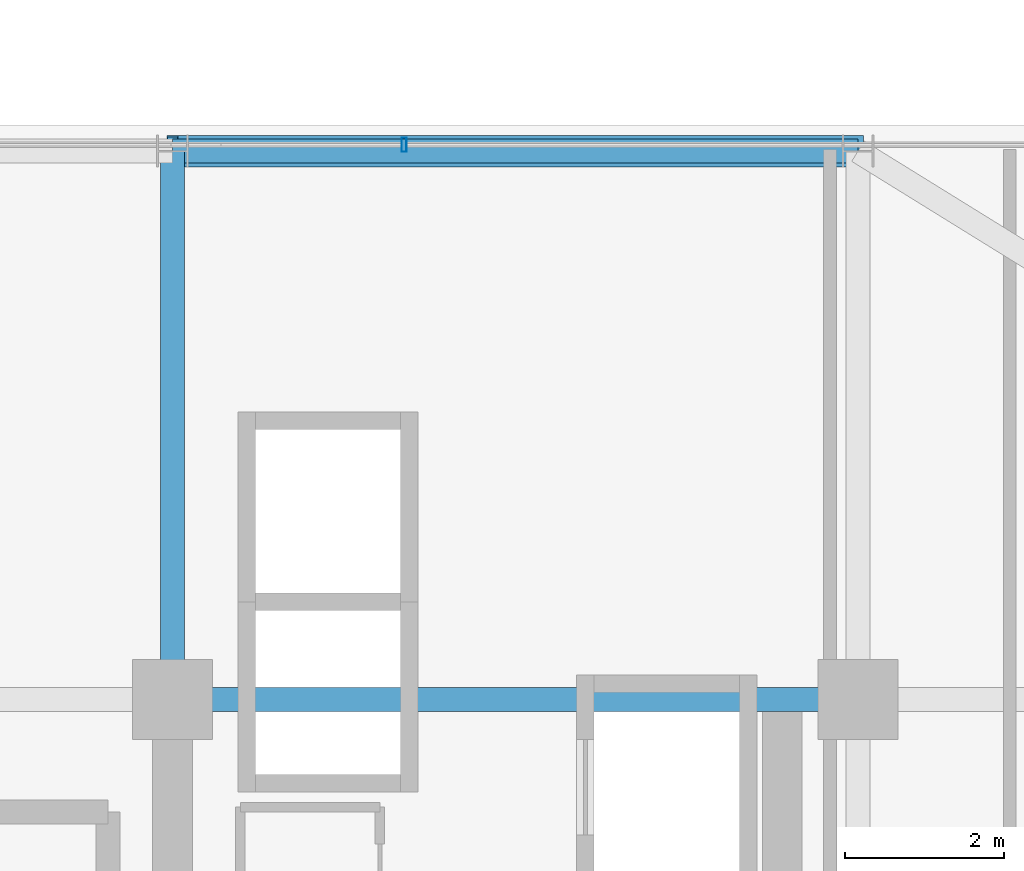
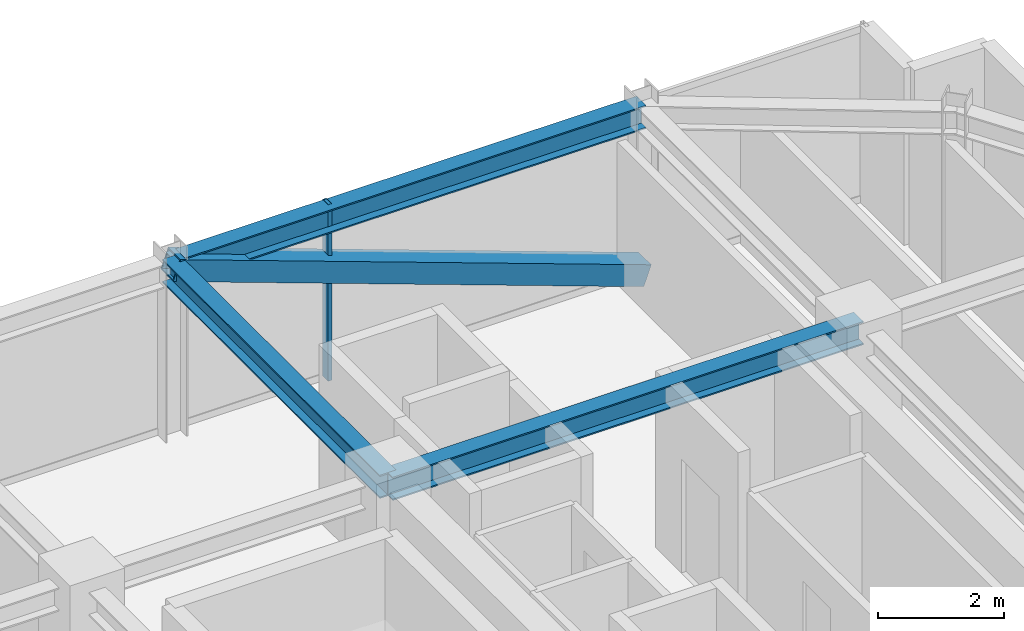
# One storey, part 26 of 36: 3 beams, 2 members, 1 element without a shape of its own.
"""IFC4 building model written with IfcOpenShell, lengths in metres."""

from ifc_helpers import new_model, si_unit, direction, frame, origin, origin_2d, place, context, subcontext, project, spatial, hollow_rectangle, i_section, extrude, source, transform, mapped, material, material_profile, profile_set, type_object, element, aggregate, save


model = new_model("IFC4")

# Units and contexts
model_context = context("Model", 3, precision=1e-05, world=origin(), true_north=direction((0.0, 1.0)))
body_context = subcontext(model_context, "Body", "Model", "MODEL_VIEW")
ifc_project = project(units=[si_unit("LENGTHUNIT", "METRE"), si_unit("AREAUNIT", "SQUARE_METRE"), si_unit("VOLUMEUNIT", "CUBIC_METRE"), si_unit("PLANEANGLEUNIT", "RADIAN"), si_unit("MASSUNIT", "GRAM", prefix="KILO")], contexts=[model_context])

# Site, building, storey
site_placement = place(None, origin())
site = spatial("IfcSite", under=ifc_project, at=site_placement, CompositionType="ELEMENT")
building_placement = place(site_placement, origin())
building = spatial("IfcBuilding", under=site, at=building_placement, Name="Nahalor Promenade Grand Hotel", CompositionType="ELEMENT")
storey_placement = place(building_placement, frame((0.0, 0.0, 219.699951171875)))
storey = spatial("IfcBuildingStorey", under=building, at=storey_placement, Name="L56", CompositionType="ELEMENT", Elevation=219.699951171875)

# Beams
ifc_material_1 = material(Name="Steel S355JR", Category="steel")
ifc_material_profile_1 = material_profile(ifc_material_1, i_section(OverallWidth=0.3, OverallDepth=0.45, WebThickness=0.014, FlangeThickness=0.026, at=origin_2d()), Name="HEB 450")
ifc_profile_set_1 = profile_set([ifc_material_profile_1], Name="Steel S355JR")
beam_type_1 = type_object("IfcBeamType", Name="Beam-Spandrel-HEB450", PredefinedType="SPANDREL", material=ifc_profile_set_1)
shared_shape_1 = source(origin(), body_context, "Body", "SweptSolid", [
    extrude(i_section(OverallWidth=0.3, OverallDepth=0.45, WebThickness=0.014, FlangeThickness=0.026, at=origin_2d()), origin(), (0.0, 0.0, 1.0), 8.60009765625),
])
beam_1_placement = place(storey_placement, frame((8.39990234375, 23.8798828125, 3.18505859375), z_axis=(1.0, 0.0, 0.0), x_axis=(0.0, 1.0, 0.0)))
element("IfcBeam", 1, at=beam_1_placement, inside=storey, type_object=beam_type_1, Name="BM-L56-SP-N-4", PredefinedType="SPANDREL", context=body_context, shape_type="MappedRepresentation", body=[
    mapped(shared_shape_1, transform((0.0, 0.0, 0.0), scale=1.0)),
])
ifc_material_profile_2 = material_profile(ifc_material_1, i_section(OverallWidth=0.3, OverallDepth=0.45, WebThickness=0.014, FlangeThickness=0.026, at=origin_2d()), Name="HEB 450")
ifc_profile_set_2 = profile_set([ifc_material_profile_2], Name="Steel S355JR")
beam_type_2 = type_object("IfcBeamType", Name="Beam-Girder-HEB450", PredefinedType="BEAM", material=ifc_profile_set_2)
shared_shape_2 = source(origin(), body_context, "Body", "SweptSolid", [
    extrude(i_section(OverallWidth=0.3, OverallDepth=0.45, WebThickness=0.014, FlangeThickness=0.026, at=origin_2d()), origin(), (0.0, 0.0, 1.0), 6.8798828125),
])
beam_2_placement = place(storey_placement, frame((8.39990234375, 17.0, 3.18505859375), z_axis=(0.0, 1.0, 0.0), x_axis=(-1.0, 0.0, 0.0)))
element("IfcBeam", 2, at=beam_2_placement, inside=storey, type_object=beam_type_2, Name="BM-L56-GY-4-4", PredefinedType="BEAM", context=body_context, shape_type="MappedRepresentation", body=[
    mapped(shared_shape_2, transform((0.0, 0.0, 0.0), scale=1.0)),
])
shared_shape_3 = source(origin(), body_context, "Body", "SweptSolid", [
    extrude(i_section(OverallWidth=0.3, OverallDepth=0.45, WebThickness=0.014, FlangeThickness=0.026, at=origin_2d()), origin(), (0.0, 0.0, 1.0), 8.60009765625),
])
beam_3_placement = place(storey_placement, frame((8.39990234375, 17.0, 3.18505859375), z_axis=(1.0, 0.0, 0.0), x_axis=(0.0, 1.0, 0.0)))
element("IfcBeam", 3, at=beam_3_placement, inside=storey, type_object=beam_type_2, Name="BM-L56-GX-3-5", PredefinedType="BEAM", context=body_context, shape_type="MappedRepresentation", body=[
    mapped(shared_shape_3, transform((0.0, 0.0, 0.0), scale=1.0)),
])

# Member
ifc_material_profile_3 = material_profile(ifc_material_1, hollow_rectangle(XDim=0.4, YDim=0.4, WallThickness=0.022, at=origin_2d()), Name="SHS 400x400x22")
ifc_profile_set_3 = profile_set([ifc_material_profile_3], Name="Steel S355JR")
member_type_1 = type_object("IfcMemberType", Name="Mem-ExoBrace-SHS400", PredefinedType="BRACE", material=ifc_profile_set_3)
shared_shape_4 = source(origin(), body_context, "Body", "SweptSolid", [
    extrude(hollow_rectangle(XDim=0.4, YDim=0.4, WallThickness=0.022, at=origin_2d()), origin(), (0.0, 0.0, 1.0), 9.14501953125),
])
member_1_placement = place(storey_placement, frame((17.0, 23.8798828125, 0.150146484375), z_axis=(-0.940404564616, 0.0, 0.340057722821), x_axis=(0.0, -1.0, 0.0)))
element("IfcMember", 4, at=member_1_placement, inside=storey, type_object=member_type_1, Name="EXO-L56-N-1", PredefinedType="BRACE", context=body_context, shape_type="MappedRepresentation", body=[
    mapped(shared_shape_4, transform((0.0, 0.0, 0.0), scale=1.0)),
])

# Curtain wall, member
ifc_material_2 = material(Name="Anodised Bronze Aluminium EN AW-6063 T6", Category="aluminium")
curtain_wall_type = type_object("IfcCurtainWallType", Name="CW2 Typical Hotel Flush Bronze Unitised Curtain Wall", PredefinedType="USERDEFINED", material=ifc_material_2)
curtain_wall_placement = place(storey_placement, origin())
curtain_wall = element("IfcCurtainWall", 5, at=curtain_wall_placement, inside=storey, type_object=curtain_wall_type, Name="L56 Curtain Wall CW-L56-N-3", ObjectType="UNITISED_CURTAIN_WALL", PredefinedType="USERDEFINED")
ifc_material_profile_4 = material_profile(ifc_material_2, hollow_rectangle(XDim=0.065, YDim=0.18, WallThickness=0.004, at=origin_2d()), Name="CWM 65x180x4")
ifc_profile_set_4 = profile_set([ifc_material_profile_4], Name="Anodised Bronze Aluminium EN AW-6063 T6")
member_type_2 = type_object("IfcMemberType", Name="CWM2 Typical Bronze Mullion 65x180", PredefinedType="MULLION", material=ifc_profile_set_4)
shared_shape_5 = source(origin(), body_context, "Body", "SweptSolid", [
    extrude(hollow_rectangle(XDim=0.065, YDim=0.18, WallThickness=0.004, at=origin_2d()), origin(), (0.0, 0.0, 1.0), 3.41015625),
])
member_2_placement = place(storey_placement, frame((11.306640625, 23.9599609375, 0.0), z_axis=(0.0, 0.0, 1.0), x_axis=(1.0, 0.0, 0.0)))
member_2 = element("IfcMember", 6, at=member_2_placement, type_object=member_type_2, Name="CW-L56-N-3 Mullion 2", PredefinedType="MULLION", context=body_context, shape_type="MappedRepresentation", body=[
    mapped(shared_shape_5, transform((0.0, 0.0, 0.0), scale=1.0)),
])
aggregate(curtain_wall, [member_2])

save(model, "model.ifc")
